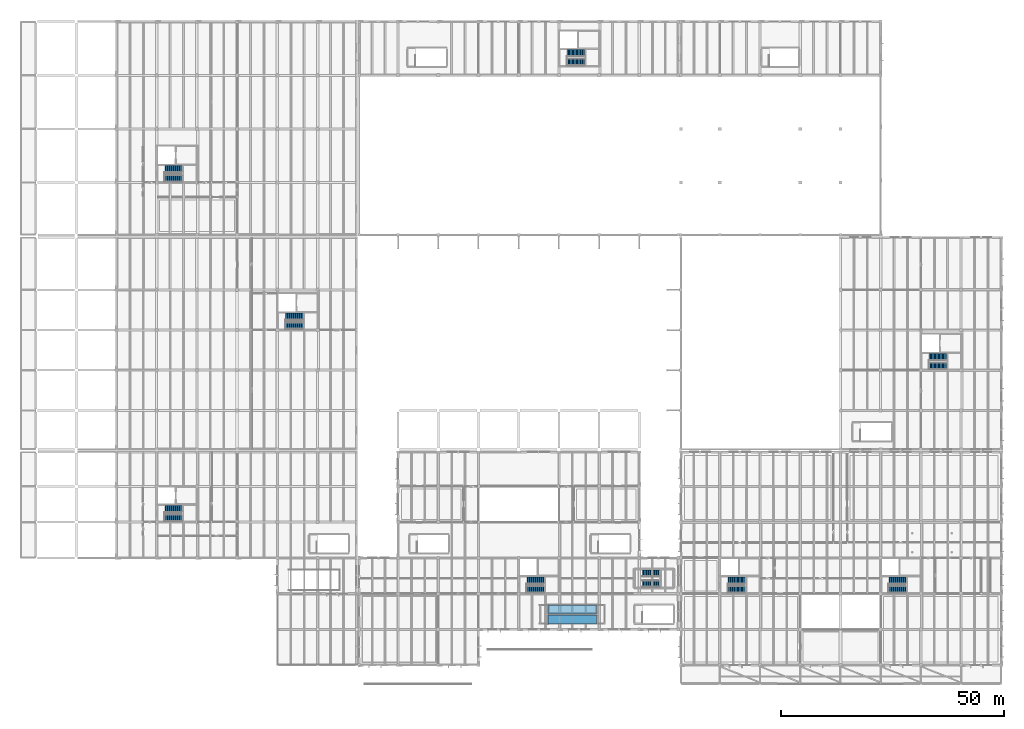
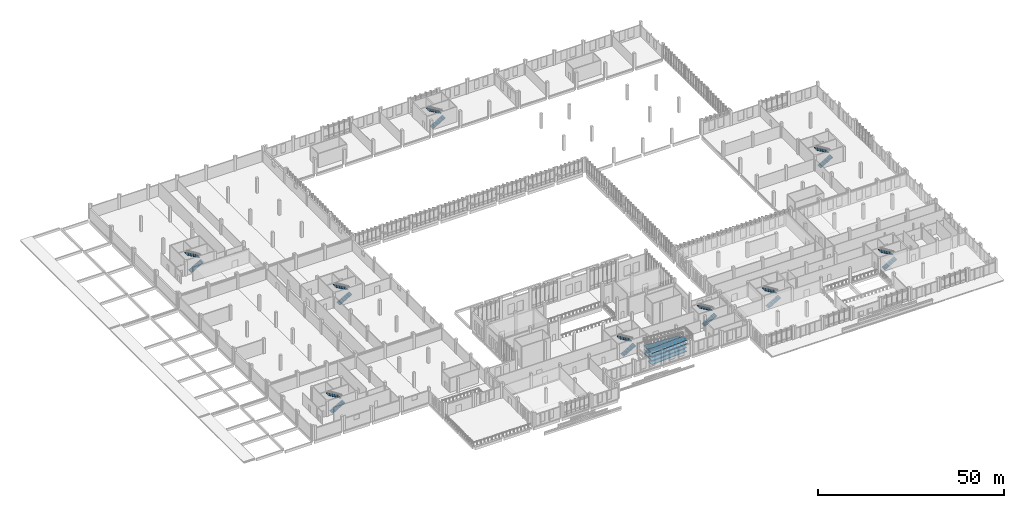
# One storey, part 94 of 110: 18 stair flights, 7 ramp flights, 10 elements without a shape of their own.
"""IFC4 building model written with IfcOpenShell, lengths in metres."""

from ifc_helpers import new_model, si_unit, direction, frame, origin, place, context, subcontext, project, spatial, polyline, outline, extrude, material, layer, layer_set, type_object, element, aggregate, save


model = new_model("IFC4")

# Units and contexts
model_context = context("Model", 3, precision=1e-05, world=origin(), true_north=direction((0.0, 1.0)))
body_context = subcontext(model_context, "Body", "Model", "MODEL_VIEW")
ifc_project = project(units=[si_unit("LENGTHUNIT", "METRE"), si_unit("AREAUNIT", "SQUARE_METRE"), si_unit("VOLUMEUNIT", "CUBIC_METRE"), si_unit("PLANEANGLEUNIT", "RADIAN"), si_unit("MASSUNIT", "GRAM", prefix="KILO")], contexts=[model_context])

# Site, building, storey
site_placement = place(None, origin())
site = spatial("IfcSite", under=ifc_project, at=site_placement, CompositionType="ELEMENT")
building_placement = place(site_placement, origin())
building = spatial("IfcBuilding", under=site, at=building_placement, Name="Zacnel Wholesale Market", CompositionType="ELEMENT")
storey_placement = place(building_placement, frame((0.0, 0.0, 6.300048828125)))
storey = spatial("IfcBuildingStorey", under=building, at=storey_placement, Name="L02", CompositionType="ELEMENT", Elevation=6.300048828125)

# Stair, stair flights
ifc_material_1 = material(Name="Precast concrete C45/55", Category="concrete")
stair_type = type_object("IfcStairType", Name="STR-DOGLEG-1550", PredefinedType="HALF_TURN_STAIR", material=ifc_material_1)
stair_1_placement = place(storey_placement, origin())
stair_1 = element("IfcStair", 1, at=stair_1_placement, inside=storey, type_object=stair_type, Name="Stair ST-02 (L02)", PredefinedType="HALF_TURN_STAIR")
ifc_material_2 = material(Name="Precast concrete C45/55", Category="concrete")
ifc_layer_1 = layer(ifc_material_2, 0.159912109375)
ifc_layer_set_1 = layer_set([ifc_layer_1], Name="Precast concrete C45/55")
stair_flight_type = type_object("IfcStairFlightType", Name="FLT-PC-1550", PredefinedType="STRAIGHT", material=ifc_layer_set_1)
stair_flight_1_placement = place(storey_placement, frame((154.81005859375, 16.965087890625, 0.0), z_axis=(0.0, 0.0, 1.0), x_axis=(1.0, 0.0, 0.0)))
stair_flight_1 = element("IfcStairFlight", 2, at=stair_flight_1_placement, type_object=stair_flight_type, Name="ST-02 flight 1", NumberOfRisers=14, NumberOfTreads=13, PredefinedType="STRAIGHT", RiserHeight=0.175, TreadLength=0.3, context=body_context, shape_type="SweptSolid", body=[
    extrude(outline(polyline([(0.0, 0.0), (0.0, 0.175048828125), (0.300048828125, 0.175048828125), (0.300048828125, 0.35009765625), (0.60009765625, 0.35009765625), (0.60009765625, 0.52490234375), (0.89990234375, 0.52490234375), (0.89990234375, 0.699951171875), (1.199951171875, 0.699951171875), (1.199951171875, 0.875), (1.5, 0.875), (1.5, 1.050048828125), (1.800048828125, 1.050048828125), (1.800048828125, 1.22509765625), (2.10009765625, 1.22509765625), (2.10009765625, 1.39990234375), (2.39990234375, 1.39990234375), (2.39990234375, 1.574951171875), (2.699951171875, 1.574951171875), (2.699951171875, 1.75), (3.0, 1.75), (3.0, 1.925048828125), (3.300048828125, 1.925048828125), (3.300048828125, 2.10009765625), (3.60009765625, 2.10009765625), (3.60009765625, 2.27490234375), (3.89990234375, 2.27490234375), (3.89990234375, 2.449951171875), (3.89990234375, 2.08984375), (0.3173828125, 0.0), (0.0, 0.0)])), frame((0.0, 0.77490234375, 0.0), z_axis=(0.0, -1.0, 0.0), x_axis=(1.0, 0.0, 0.0)), (0.0, 0.0, 1.0), 1.550048828125),
])
stair_flight_2_placement = place(storey_placement, frame((158.7099609375, 18.985107421875, 2.449951171875), z_axis=(0.0, 0.0, 1.0), x_axis=(-1.0, 0.0, 0.0)))
stair_flight_2 = element("IfcStairFlight", 3, at=stair_flight_2_placement, type_object=stair_flight_type, Name="ST-02 flight 2", NumberOfRisers=14, NumberOfTreads=13, PredefinedType="STRAIGHT", RiserHeight=0.175, TreadLength=0.3, context=body_context, shape_type="SweptSolid", body=[
    extrude(outline(polyline([(0.0, 0.0), (0.0, 0.175048828125), (0.300048828125, 0.175048828125), (0.300048828125, 0.35009765625), (0.60009765625, 0.35009765625), (0.60009765625, 0.52490234375), (0.89990234375, 0.52490234375), (0.89990234375, 0.699951171875), (1.199951171875, 0.699951171875), (1.199951171875, 0.875), (1.5, 0.875), (1.5, 1.050048828125), (1.800048828125, 1.050048828125), (1.800048828125, 1.22509765625), (2.10009765625, 1.22509765625), (2.10009765625, 1.39990234375), (2.39990234375, 1.39990234375), (2.39990234375, 1.574951171875), (2.699951171875, 1.574951171875), (2.699951171875, 1.75), (3.0, 1.75), (3.0, 1.925048828125), (3.300048828125, 1.925048828125), (3.300048828125, 2.10009765625), (3.60009765625, 2.10009765625), (3.60009765625, 2.27490234375), (3.89990234375, 2.27490234375), (3.89990234375, 2.449951171875), (3.89990234375, 2.08984375), (0.3173828125, 0.0), (0.0, 0.0)])), frame((0.0, 0.77490234375, 0.0), z_axis=(0.0, -1.0, 0.0), x_axis=(1.0, 0.0, 0.0)), (0.0, 0.0, 1.0), 1.550048828125),
])
aggregate(stair_1, [stair_flight_1, stair_flight_2])

stair_2_placement = place(storey_placement, origin())
stair_2 = element("IfcStair", 4, at=stair_2_placement, inside=storey, type_object=stair_type, Name="Stair ST-05 (L02)", PredefinedType="HALF_TURN_STAIR")
stair_flight_3_placement = place(storey_placement, frame((190.81005859375, 16.965087890625, 0.0), z_axis=(0.0, 0.0, 1.0), x_axis=(1.0, 0.0, 0.0)))
stair_flight_3 = element("IfcStairFlight", 5, at=stair_flight_3_placement, type_object=stair_flight_type, Name="ST-05 flight 1", NumberOfRisers=14, NumberOfTreads=13, PredefinedType="STRAIGHT", RiserHeight=0.175, TreadLength=0.3, context=body_context, shape_type="SweptSolid", body=[
    extrude(outline(polyline([(0.0, 0.0), (0.0, 0.175048828125), (0.300048828125, 0.175048828125), (0.300048828125, 0.35009765625), (0.60009765625, 0.35009765625), (0.60009765625, 0.52490234375), (0.89990234375, 0.52490234375), (0.89990234375, 0.699951171875), (1.199951171875, 0.699951171875), (1.199951171875, 0.875), (1.5, 0.875), (1.5, 1.050048828125), (1.800048828125, 1.050048828125), (1.800048828125, 1.22509765625), (2.10009765625, 1.22509765625), (2.10009765625, 1.39990234375), (2.39990234375, 1.39990234375), (2.39990234375, 1.574951171875), (2.699951171875, 1.574951171875), (2.699951171875, 1.75), (3.0, 1.75), (3.0, 1.925048828125), (3.300048828125, 1.925048828125), (3.300048828125, 2.10009765625), (3.60009765625, 2.10009765625), (3.60009765625, 2.27490234375), (3.89990234375, 2.27490234375), (3.89990234375, 2.449951171875), (3.89990234375, 2.08984375), (0.3173828125, 0.0), (0.0, 0.0)])), frame((0.0, 0.77490234375, 0.0), z_axis=(0.0, -1.0, 0.0), x_axis=(1.0, 0.0, 0.0)), (0.0, 0.0, 1.0), 1.550048828125),
])
stair_flight_4_placement = place(storey_placement, frame((194.7099609375, 18.985107421875, 2.449951171875), z_axis=(0.0, 0.0, 1.0), x_axis=(-1.0, 0.0, 0.0)))
stair_flight_4 = element("IfcStairFlight", 6, at=stair_flight_4_placement, type_object=stair_flight_type, Name="ST-05 flight 2", NumberOfRisers=14, NumberOfTreads=13, PredefinedType="STRAIGHT", RiserHeight=0.175, TreadLength=0.3, context=body_context, shape_type="SweptSolid", body=[
    extrude(outline(polyline([(0.0, 0.0), (0.0, 0.175048828125), (0.300048828125, 0.175048828125), (0.300048828125, 0.35009765625), (0.60009765625, 0.35009765625), (0.60009765625, 0.52490234375), (0.89990234375, 0.52490234375), (0.89990234375, 0.699951171875), (1.199951171875, 0.699951171875), (1.199951171875, 0.875), (1.5, 0.875), (1.5, 1.050048828125), (1.800048828125, 1.050048828125), (1.800048828125, 1.22509765625), (2.10009765625, 1.22509765625), (2.10009765625, 1.39990234375), (2.39990234375, 1.39990234375), (2.39990234375, 1.574951171875), (2.699951171875, 1.574951171875), (2.699951171875, 1.75), (3.0, 1.75), (3.0, 1.925048828125), (3.300048828125, 1.925048828125), (3.300048828125, 2.10009765625), (3.60009765625, 2.10009765625), (3.60009765625, 2.27490234375), (3.89990234375, 2.27490234375), (3.89990234375, 2.449951171875), (3.89990234375, 2.08984375), (0.3173828125, 0.0), (0.0, 0.0)])), frame((0.0, 0.77490234375, 0.0), z_axis=(0.0, -1.0, 0.0), x_axis=(1.0, 0.0, 0.0)), (0.0, 0.0, 1.0), 1.550048828125),
])
aggregate(stair_2, [stair_flight_3, stair_flight_4])

stair_3_placement = place(storey_placement, origin())
stair_3 = element("IfcStair", 7, at=stair_3_placement, inside=storey, type_object=stair_type, Name="Stair ST-08 (L02)", PredefinedType="HALF_TURN_STAIR")
stair_flight_5_placement = place(storey_placement, frame((28.81005859375, 32.965087890625, 0.0), z_axis=(0.0, 0.0, 1.0), x_axis=(1.0, 0.0, 0.0)))
stair_flight_5 = element("IfcStairFlight", 8, at=stair_flight_5_placement, type_object=stair_flight_type, Name="ST-08 flight 1", NumberOfRisers=14, NumberOfTreads=13, PredefinedType="STRAIGHT", RiserHeight=0.175, TreadLength=0.3, context=body_context, shape_type="SweptSolid", body=[
    extrude(outline(polyline([(0.0, 0.0), (0.0, 0.175048828125), (0.300048828125, 0.175048828125), (0.300048828125, 0.35009765625), (0.60009765625, 0.35009765625), (0.60009765625, 0.52490234375), (0.89990234375, 0.52490234375), (0.89990234375, 0.699951171875), (1.199951171875, 0.699951171875), (1.199951171875, 0.875), (1.5, 0.875), (1.5, 1.050048828125), (1.800048828125, 1.050048828125), (1.800048828125, 1.22509765625), (2.10009765625, 1.22509765625), (2.10009765625, 1.39990234375), (2.39990234375, 1.39990234375), (2.39990234375, 1.574951171875), (2.699951171875, 1.574951171875), (2.699951171875, 1.75), (3.0, 1.75), (3.0, 1.925048828125), (3.300048828125, 1.925048828125), (3.300048828125, 2.10009765625), (3.60009765625, 2.10009765625), (3.60009765625, 2.27490234375), (3.89990234375, 2.27490234375), (3.89990234375, 2.449951171875), (3.89990234375, 2.08984375), (0.3173828125, 0.0), (0.0, 0.0)])), frame((0.0, 0.77490234375, 0.0), z_axis=(0.0, -1.0, 0.0), x_axis=(1.0, 0.0, 0.0)), (0.0, 0.0, 1.0), 1.550048828125),
])
stair_flight_6_placement = place(storey_placement, frame((32.7099609375, 34.985107421875, 2.449951171875), z_axis=(0.0, 0.0, 1.0), x_axis=(-1.0, 0.0, 0.0)))
stair_flight_6 = element("IfcStairFlight", 9, at=stair_flight_6_placement, type_object=stair_flight_type, Name="ST-08 flight 2", NumberOfRisers=14, NumberOfTreads=13, PredefinedType="STRAIGHT", RiserHeight=0.175, TreadLength=0.3, context=body_context, shape_type="SweptSolid", body=[
    extrude(outline(polyline([(0.0, 0.0), (0.0, 0.175048828125), (0.300048828125, 0.175048828125), (0.300048828125, 0.35009765625), (0.60009765625, 0.35009765625), (0.60009765625, 0.52490234375), (0.89990234375, 0.52490234375), (0.89990234375, 0.699951171875), (1.199951171875, 0.699951171875), (1.199951171875, 0.875), (1.5, 0.875), (1.5, 1.050048828125), (1.800048828125, 1.050048828125), (1.800048828125, 1.22509765625), (2.10009765625, 1.22509765625), (2.10009765625, 1.39990234375), (2.39990234375, 1.39990234375), (2.39990234375, 1.574951171875), (2.699951171875, 1.574951171875), (2.699951171875, 1.75), (3.0, 1.75), (3.0, 1.925048828125), (3.300048828125, 1.925048828125), (3.300048828125, 2.10009765625), (3.60009765625, 2.10009765625), (3.60009765625, 2.27490234375), (3.89990234375, 2.27490234375), (3.89990234375, 2.449951171875), (3.89990234375, 2.08984375), (0.3173828125, 0.0), (0.0, 0.0)])), frame((0.0, 0.77490234375, 0.0), z_axis=(0.0, -1.0, 0.0), x_axis=(1.0, 0.0, 0.0)), (0.0, 0.0, 1.0), 1.550048828125),
])
aggregate(stair_3, [stair_flight_5, stair_flight_6])

stair_4_placement = place(storey_placement, origin())
stair_4 = element("IfcStair", 10, at=stair_4_placement, inside=storey, type_object=stair_type, Name="Stair ST-10 (L02)", PredefinedType="HALF_TURN_STAIR")
stair_flight_7_placement = place(storey_placement, frame((55.81005859375, 75.965087890625, 0.0), z_axis=(0.0, 0.0, 1.0), x_axis=(1.0, 0.0, 0.0)))
stair_flight_7 = element("IfcStairFlight", 11, at=stair_flight_7_placement, type_object=stair_flight_type, Name="ST-10 flight 1", NumberOfRisers=14, NumberOfTreads=13, PredefinedType="STRAIGHT", RiserHeight=0.175, TreadLength=0.3, context=body_context, shape_type="SweptSolid", body=[
    extrude(outline(polyline([(0.0, 0.0), (0.0, 0.175048828125), (0.300048828125, 0.175048828125), (0.300048828125, 0.35009765625), (0.60009765625, 0.35009765625), (0.60009765625, 0.52490234375), (0.89990234375, 0.52490234375), (0.89990234375, 0.699951171875), (1.199951171875, 0.699951171875), (1.199951171875, 0.875), (1.5, 0.875), (1.5, 1.050048828125), (1.800048828125, 1.050048828125), (1.800048828125, 1.22509765625), (2.10009765625, 1.22509765625), (2.10009765625, 1.39990234375), (2.39990234375, 1.39990234375), (2.39990234375, 1.574951171875), (2.699951171875, 1.574951171875), (2.699951171875, 1.75), (3.0, 1.75), (3.0, 1.925048828125), (3.300048828125, 1.925048828125), (3.300048828125, 2.10009765625), (3.60009765625, 2.10009765625), (3.60009765625, 2.27490234375), (3.89990234375, 2.27490234375), (3.89990234375, 2.449951171875), (3.89990234375, 2.08984375), (0.3173828125, 0.0), (0.0, 0.0)])), frame((0.0, 0.77490234375, 0.0), z_axis=(0.0, -1.0, 0.0), x_axis=(1.0, 0.0, 0.0)), (0.0, 0.0, 1.0), 1.550048828125),
])
stair_flight_8_placement = place(storey_placement, frame((59.7099609375, 77.985107421875, 2.449951171875), z_axis=(0.0, 0.0, 1.0), x_axis=(-1.0, 0.0, 0.0)))
stair_flight_8 = element("IfcStairFlight", 12, at=stair_flight_8_placement, type_object=stair_flight_type, Name="ST-10 flight 2", NumberOfRisers=14, NumberOfTreads=13, PredefinedType="STRAIGHT", RiserHeight=0.175, TreadLength=0.3, context=body_context, shape_type="SweptSolid", body=[
    extrude(outline(polyline([(0.0, 0.0), (0.0, 0.175048828125), (0.300048828125, 0.175048828125), (0.300048828125, 0.35009765625), (0.60009765625, 0.35009765625), (0.60009765625, 0.52490234375), (0.89990234375, 0.52490234375), (0.89990234375, 0.699951171875), (1.199951171875, 0.699951171875), (1.199951171875, 0.875), (1.5, 0.875), (1.5, 1.050048828125), (1.800048828125, 1.050048828125), (1.800048828125, 1.22509765625), (2.10009765625, 1.22509765625), (2.10009765625, 1.39990234375), (2.39990234375, 1.39990234375), (2.39990234375, 1.574951171875), (2.699951171875, 1.574951171875), (2.699951171875, 1.75), (3.0, 1.75), (3.0, 1.925048828125), (3.300048828125, 1.925048828125), (3.300048828125, 2.10009765625), (3.60009765625, 2.10009765625), (3.60009765625, 2.27490234375), (3.89990234375, 2.27490234375), (3.89990234375, 2.449951171875), (3.89990234375, 2.08984375), (0.3173828125, 0.0), (0.0, 0.0)])), frame((0.0, 0.77490234375, 0.0), z_axis=(0.0, -1.0, 0.0), x_axis=(1.0, 0.0, 0.0)), (0.0, 0.0, 1.0), 1.550048828125),
])
aggregate(stair_4, [stair_flight_7, stair_flight_8])

stair_5_placement = place(storey_placement, origin())
stair_5 = element("IfcStair", 13, at=stair_5_placement, inside=storey, type_object=stair_type, Name="Stair ST-13 (L02)", PredefinedType="HALF_TURN_STAIR")
stair_flight_9_placement = place(storey_placement, frame((28.81005859375, 108.965087890625, 0.0), z_axis=(0.0, 0.0, 1.0), x_axis=(1.0, 0.0, 0.0)))
stair_flight_9 = element("IfcStairFlight", 14, at=stair_flight_9_placement, type_object=stair_flight_type, Name="ST-13 flight 1", NumberOfRisers=14, NumberOfTreads=13, PredefinedType="STRAIGHT", RiserHeight=0.175, TreadLength=0.3, context=body_context, shape_type="SweptSolid", body=[
    extrude(outline(polyline([(0.0, 0.0), (0.0, 0.175048828125), (0.300048828125, 0.175048828125), (0.300048828125, 0.35009765625), (0.60009765625, 0.35009765625), (0.60009765625, 0.52490234375), (0.89990234375, 0.52490234375), (0.89990234375, 0.699951171875), (1.199951171875, 0.699951171875), (1.199951171875, 0.875), (1.5, 0.875), (1.5, 1.050048828125), (1.800048828125, 1.050048828125), (1.800048828125, 1.22509765625), (2.10009765625, 1.22509765625), (2.10009765625, 1.39990234375), (2.39990234375, 1.39990234375), (2.39990234375, 1.574951171875), (2.699951171875, 1.574951171875), (2.699951171875, 1.75), (3.0, 1.75), (3.0, 1.925048828125), (3.300048828125, 1.925048828125), (3.300048828125, 2.10009765625), (3.60009765625, 2.10009765625), (3.60009765625, 2.27490234375), (3.89990234375, 2.27490234375), (3.89990234375, 2.449951171875), (3.89990234375, 2.08984375), (0.3173828125, 0.0), (0.0, 0.0)])), frame((0.0, 0.77490234375, 0.0), z_axis=(0.0, -1.0, 0.0), x_axis=(1.0, 0.0, 0.0)), (0.0, 0.0, 1.0), 1.550048828125),
])
stair_flight_10_placement = place(storey_placement, frame((32.7099609375, 110.985107421875, 2.449951171875), z_axis=(0.0, 0.0, 1.0), x_axis=(-1.0, 0.0, 0.0)))
stair_flight_10 = element("IfcStairFlight", 15, at=stair_flight_10_placement, type_object=stair_flight_type, Name="ST-13 flight 2", NumberOfRisers=14, NumberOfTreads=13, PredefinedType="STRAIGHT", RiserHeight=0.175, TreadLength=0.3, context=body_context, shape_type="SweptSolid", body=[
    extrude(outline(polyline([(0.0, 0.0), (0.0, 0.175048828125), (0.300048828125, 0.175048828125), (0.300048828125, 0.35009765625), (0.60009765625, 0.35009765625), (0.60009765625, 0.52490234375), (0.89990234375, 0.52490234375), (0.89990234375, 0.699951171875), (1.199951171875, 0.699951171875), (1.199951171875, 0.875), (1.5, 0.875), (1.5, 1.050048828125), (1.800048828125, 1.050048828125), (1.800048828125, 1.22509765625), (2.10009765625, 1.22509765625), (2.10009765625, 1.39990234375), (2.39990234375, 1.39990234375), (2.39990234375, 1.574951171875), (2.699951171875, 1.574951171875), (2.699951171875, 1.75), (3.0, 1.75), (3.0, 1.925048828125), (3.300048828125, 1.925048828125), (3.300048828125, 2.10009765625), (3.60009765625, 2.10009765625), (3.60009765625, 2.27490234375), (3.89990234375, 2.27490234375), (3.89990234375, 2.449951171875), (3.89990234375, 2.08984375), (0.3173828125, 0.0), (0.0, 0.0)])), frame((0.0, 0.77490234375, 0.0), z_axis=(0.0, -1.0, 0.0), x_axis=(1.0, 0.0, 0.0)), (0.0, 0.0, 1.0), 1.550048828125),
])
aggregate(stair_5, [stair_flight_9, stair_flight_10])

stair_6_placement = place(storey_placement, origin())
stair_6 = element("IfcStair", 16, at=stair_6_placement, inside=storey, type_object=stair_type, Name="Stair ST-28 (L02)", PredefinedType="HALF_TURN_STAIR")
stair_flight_11_placement = place(storey_placement, frame((118.81005859375, 134.965087890625, 0.0), z_axis=(0.0, 0.0, 1.0), x_axis=(1.0, 0.0, 0.0)))
stair_flight_11 = element("IfcStairFlight", 17, at=stair_flight_11_placement, type_object=stair_flight_type, Name="ST-28 flight 1", NumberOfRisers=14, NumberOfTreads=13, PredefinedType="STRAIGHT", RiserHeight=0.175, TreadLength=0.3, context=body_context, shape_type="SweptSolid", body=[
    extrude(outline(polyline([(0.0, 0.0), (0.0, 0.175048828125), (0.300048828125, 0.175048828125), (0.300048828125, 0.35009765625), (0.60009765625, 0.35009765625), (0.60009765625, 0.52490234375), (0.89990234375, 0.52490234375), (0.89990234375, 0.699951171875), (1.199951171875, 0.699951171875), (1.199951171875, 0.875), (1.5, 0.875), (1.5, 1.050048828125), (1.800048828125, 1.050048828125), (1.800048828125, 1.22509765625), (2.10009765625, 1.22509765625), (2.10009765625, 1.39990234375), (2.39990234375, 1.39990234375), (2.39990234375, 1.574951171875), (2.699951171875, 1.574951171875), (2.699951171875, 1.75), (3.0, 1.75), (3.0, 1.925048828125), (3.300048828125, 1.925048828125), (3.300048828125, 2.10009765625), (3.60009765625, 2.10009765625), (3.60009765625, 2.27490234375), (3.89990234375, 2.27490234375), (3.89990234375, 2.449951171875), (3.89990234375, 2.08984375), (0.3173828125, 0.0), (0.0, 0.0)])), frame((0.0, 0.77490234375, 0.0), z_axis=(0.0, -1.0, 0.0), x_axis=(1.0, 0.0, 0.0)), (0.0, 0.0, 1.0), 1.550048828125),
])
stair_flight_12_placement = place(storey_placement, frame((122.7099609375, 136.985107421875, 2.449951171875), z_axis=(0.0, 0.0, 1.0), x_axis=(-1.0, 0.0, 0.0)))
stair_flight_12 = element("IfcStairFlight", 18, at=stair_flight_12_placement, type_object=stair_flight_type, Name="ST-28 flight 2", NumberOfRisers=14, NumberOfTreads=13, PredefinedType="STRAIGHT", RiserHeight=0.175, TreadLength=0.3, context=body_context, shape_type="SweptSolid", body=[
    extrude(outline(polyline([(0.0, 0.0), (0.0, 0.175048828125), (0.300048828125, 0.175048828125), (0.300048828125, 0.35009765625), (0.60009765625, 0.35009765625), (0.60009765625, 0.52490234375), (0.89990234375, 0.52490234375), (0.89990234375, 0.699951171875), (1.199951171875, 0.699951171875), (1.199951171875, 0.875), (1.5, 0.875), (1.5, 1.050048828125), (1.800048828125, 1.050048828125), (1.800048828125, 1.22509765625), (2.10009765625, 1.22509765625), (2.10009765625, 1.39990234375), (2.39990234375, 1.39990234375), (2.39990234375, 1.574951171875), (2.699951171875, 1.574951171875), (2.699951171875, 1.75), (3.0, 1.75), (3.0, 1.925048828125), (3.300048828125, 1.925048828125), (3.300048828125, 2.10009765625), (3.60009765625, 2.10009765625), (3.60009765625, 2.27490234375), (3.89990234375, 2.27490234375), (3.89990234375, 2.449951171875), (3.89990234375, 2.08984375), (0.3173828125, 0.0), (0.0, 0.0)])), frame((0.0, 0.77490234375, 0.0), z_axis=(0.0, -1.0, 0.0), x_axis=(1.0, 0.0, 0.0)), (0.0, 0.0, 1.0), 1.550048828125),
])
aggregate(stair_6, [stair_flight_11, stair_flight_12])

stair_7_placement = place(storey_placement, origin())
stair_7 = element("IfcStair", 19, at=stair_7_placement, inside=storey, type_object=stair_type, Name="Stair ST-27 (L02)", PredefinedType="HALF_TURN_STAIR")
stair_flight_13_placement = place(storey_placement, frame((199.81005859375, 66.965087890625, 0.0), z_axis=(0.0, 0.0, 1.0), x_axis=(1.0, 0.0, 0.0)))
stair_flight_13 = element("IfcStairFlight", 20, at=stair_flight_13_placement, type_object=stair_flight_type, Name="ST-27 flight 1", NumberOfRisers=14, NumberOfTreads=13, PredefinedType="STRAIGHT", RiserHeight=0.175, TreadLength=0.3, context=body_context, shape_type="SweptSolid", body=[
    extrude(outline(polyline([(0.0, 0.0), (0.0, 0.175048828125), (0.300048828125, 0.175048828125), (0.300048828125, 0.35009765625), (0.60009765625, 0.35009765625), (0.60009765625, 0.52490234375), (0.89990234375, 0.52490234375), (0.89990234375, 0.699951171875), (1.199951171875, 0.699951171875), (1.199951171875, 0.875), (1.5, 0.875), (1.5, 1.050048828125), (1.800048828125, 1.050048828125), (1.800048828125, 1.22509765625), (2.10009765625, 1.22509765625), (2.10009765625, 1.39990234375), (2.39990234375, 1.39990234375), (2.39990234375, 1.574951171875), (2.699951171875, 1.574951171875), (2.699951171875, 1.75), (3.0, 1.75), (3.0, 1.925048828125), (3.300048828125, 1.925048828125), (3.300048828125, 2.10009765625), (3.60009765625, 2.10009765625), (3.60009765625, 2.27490234375), (3.89990234375, 2.27490234375), (3.89990234375, 2.449951171875), (3.89990234375, 2.08984375), (0.3173828125, 0.0), (0.0, 0.0)])), frame((0.0, 0.77490234375, 0.0), z_axis=(0.0, -1.0, 0.0), x_axis=(1.0, 0.0, 0.0)), (0.0, 0.0, 1.0), 1.550048828125),
])
stair_flight_14_placement = place(storey_placement, frame((203.7099609375, 68.985107421875, 2.449951171875), z_axis=(0.0, 0.0, 1.0), x_axis=(-1.0, 0.0, 0.0)))
stair_flight_14 = element("IfcStairFlight", 21, at=stair_flight_14_placement, type_object=stair_flight_type, Name="ST-27 flight 2", NumberOfRisers=14, NumberOfTreads=13, PredefinedType="STRAIGHT", RiserHeight=0.175, TreadLength=0.3, context=body_context, shape_type="SweptSolid", body=[
    extrude(outline(polyline([(0.0, 0.0), (0.0, 0.175048828125), (0.300048828125, 0.175048828125), (0.300048828125, 0.35009765625), (0.60009765625, 0.35009765625), (0.60009765625, 0.52490234375), (0.89990234375, 0.52490234375), (0.89990234375, 0.699951171875), (1.199951171875, 0.699951171875), (1.199951171875, 0.875), (1.5, 0.875), (1.5, 1.050048828125), (1.800048828125, 1.050048828125), (1.800048828125, 1.22509765625), (2.10009765625, 1.22509765625), (2.10009765625, 1.39990234375), (2.39990234375, 1.39990234375), (2.39990234375, 1.574951171875), (2.699951171875, 1.574951171875), (2.699951171875, 1.75), (3.0, 1.75), (3.0, 1.925048828125), (3.300048828125, 1.925048828125), (3.300048828125, 2.10009765625), (3.60009765625, 2.10009765625), (3.60009765625, 2.27490234375), (3.89990234375, 2.27490234375), (3.89990234375, 2.449951171875), (3.89990234375, 2.08984375), (0.3173828125, 0.0), (0.0, 0.0)])), frame((0.0, 0.77490234375, 0.0), z_axis=(0.0, -1.0, 0.0), x_axis=(1.0, 0.0, 0.0)), (0.0, 0.0, 1.0), 1.550048828125),
])
aggregate(stair_7, [stair_flight_13, stair_flight_14])

stair_8_placement = place(storey_placement, origin())
stair_8 = element("IfcStair", 22, at=stair_8_placement, inside=storey, type_object=stair_type, Name="Stair ST-17 (L02)", PredefinedType="HALF_TURN_STAIR")
stair_flight_15_placement = place(storey_placement, frame((109.81005859375, 16.965087890625, 0.0), z_axis=(0.0, 0.0, 1.0), x_axis=(1.0, 0.0, 0.0)))
stair_flight_15 = element("IfcStairFlight", 23, at=stair_flight_15_placement, type_object=stair_flight_type, Name="ST-17 flight 1", NumberOfRisers=14, NumberOfTreads=13, PredefinedType="STRAIGHT", RiserHeight=0.175, TreadLength=0.3, context=body_context, shape_type="SweptSolid", body=[
    extrude(outline(polyline([(0.0, 0.0), (0.0, 0.175048828125), (0.300048828125, 0.175048828125), (0.300048828125, 0.35009765625), (0.60009765625, 0.35009765625), (0.60009765625, 0.52490234375), (0.89990234375, 0.52490234375), (0.89990234375, 0.699951171875), (1.199951171875, 0.699951171875), (1.199951171875, 0.875), (1.5, 0.875), (1.5, 1.050048828125), (1.800048828125, 1.050048828125), (1.800048828125, 1.22509765625), (2.10009765625, 1.22509765625), (2.10009765625, 1.39990234375), (2.39990234375, 1.39990234375), (2.39990234375, 1.574951171875), (2.699951171875, 1.574951171875), (2.699951171875, 1.75), (3.0, 1.75), (3.0, 1.925048828125), (3.300048828125, 1.925048828125), (3.300048828125, 2.10009765625), (3.60009765625, 2.10009765625), (3.60009765625, 2.27490234375), (3.89990234375, 2.27490234375), (3.89990234375, 2.449951171875), (3.89990234375, 2.08984375), (0.3173828125, 0.0), (0.0, 0.0)])), frame((0.0, 0.77490234375, 0.0), z_axis=(0.0, -1.0, 0.0), x_axis=(1.0, 0.0, 0.0)), (0.0, 0.0, 1.0), 1.550048828125),
])
stair_flight_16_placement = place(storey_placement, frame((113.7099609375, 18.985107421875, 2.449951171875), z_axis=(0.0, 0.0, 1.0), x_axis=(-1.0, 0.0, 0.0)))
stair_flight_16 = element("IfcStairFlight", 24, at=stair_flight_16_placement, type_object=stair_flight_type, Name="ST-17 flight 2", NumberOfRisers=14, NumberOfTreads=13, PredefinedType="STRAIGHT", RiserHeight=0.175, TreadLength=0.3, context=body_context, shape_type="SweptSolid", body=[
    extrude(outline(polyline([(0.0, 0.0), (0.0, 0.175048828125), (0.300048828125, 0.175048828125), (0.300048828125, 0.35009765625), (0.60009765625, 0.35009765625), (0.60009765625, 0.52490234375), (0.89990234375, 0.52490234375), (0.89990234375, 0.699951171875), (1.199951171875, 0.699951171875), (1.199951171875, 0.875), (1.5, 0.875), (1.5, 1.050048828125), (1.800048828125, 1.050048828125), (1.800048828125, 1.22509765625), (2.10009765625, 1.22509765625), (2.10009765625, 1.39990234375), (2.39990234375, 1.39990234375), (2.39990234375, 1.574951171875), (2.699951171875, 1.574951171875), (2.699951171875, 1.75), (3.0, 1.75), (3.0, 1.925048828125), (3.300048828125, 1.925048828125), (3.300048828125, 2.10009765625), (3.60009765625, 2.10009765625), (3.60009765625, 2.27490234375), (3.89990234375, 2.27490234375), (3.89990234375, 2.449951171875), (3.89990234375, 2.08984375), (0.3173828125, 0.0), (0.0, 0.0)])), frame((0.0, 0.77490234375, 0.0), z_axis=(0.0, -1.0, 0.0), x_axis=(1.0, 0.0, 0.0)), (0.0, 0.0, 1.0), 1.550048828125),
])
aggregate(stair_8, [stair_flight_15, stair_flight_16])

stair_9_placement = place(storey_placement, origin())
stair_9 = element("IfcStair", 25, at=stair_9_placement, inside=storey, type_object=stair_type, Name="Stair ST-25 (L02)", PredefinedType="HALF_TURN_STAIR")
stair_flight_17_placement = place(storey_placement, frame((135.679931640625, 18.235107421875, 0.0), z_axis=(0.0, 0.0, 1.0), x_axis=(1.0, 0.0, 0.0)))
stair_flight_17 = element("IfcStairFlight", 26, at=stair_flight_17_placement, type_object=stair_flight_type, Name="ST-25 flight 1", NumberOfRisers=14, NumberOfTreads=13, PredefinedType="STRAIGHT", RiserHeight=0.175, TreadLength=0.3, context=body_context, shape_type="SweptSolid", body=[
    extrude(outline(polyline([(0.0, 0.0), (0.0, 0.175048828125), (0.300048828125, 0.175048828125), (0.300048828125, 0.35009765625), (0.60009765625, 0.35009765625), (0.60009765625, 0.52490234375), (0.89990234375, 0.52490234375), (0.89990234375, 0.699951171875), (1.199951171875, 0.699951171875), (1.199951171875, 0.875), (1.5, 0.875), (1.5, 1.050048828125), (1.800048828125, 1.050048828125), (1.800048828125, 1.22509765625), (2.10009765625, 1.22509765625), (2.10009765625, 1.39990234375), (2.39990234375, 1.39990234375), (2.39990234375, 1.574951171875), (2.699951171875, 1.574951171875), (2.699951171875, 1.75), (3.0, 1.75), (3.0, 1.925048828125), (3.300048828125, 1.925048828125), (3.300048828125, 2.10009765625), (3.60009765625, 2.10009765625), (3.60009765625, 2.27490234375), (3.89990234375, 2.27490234375), (3.89990234375, 2.449951171875), (3.89990234375, 2.08984375), (0.3173828125, 0.0), (0.0, 0.0)])), frame((0.0, 0.77490234375, 0.0), z_axis=(0.0, -1.0, 0.0), x_axis=(1.0, 0.0, 0.0)), (0.0, 0.0, 1.0), 1.550048828125),
])
stair_flight_18_placement = place(storey_placement, frame((139.580078125, 20.56494140625, 2.449951171875), z_axis=(0.0, 0.0, 1.0), x_axis=(-1.0, 0.0, 0.0)))
stair_flight_18 = element("IfcStairFlight", 27, at=stair_flight_18_placement, type_object=stair_flight_type, Name="ST-25 flight 2", NumberOfRisers=14, NumberOfTreads=13, PredefinedType="STRAIGHT", RiserHeight=0.175, TreadLength=0.3, context=body_context, shape_type="SweptSolid", body=[
    extrude(outline(polyline([(0.0, 0.0), (0.0, 0.175048828125), (0.300048828125, 0.175048828125), (0.300048828125, 0.35009765625), (0.60009765625, 0.35009765625), (0.60009765625, 0.52490234375), (0.89990234375, 0.52490234375), (0.89990234375, 0.699951171875), (1.199951171875, 0.699951171875), (1.199951171875, 0.875), (1.5, 0.875), (1.5, 1.050048828125), (1.800048828125, 1.050048828125), (1.800048828125, 1.22509765625), (2.10009765625, 1.22509765625), (2.10009765625, 1.39990234375), (2.39990234375, 1.39990234375), (2.39990234375, 1.574951171875), (2.699951171875, 1.574951171875), (2.699951171875, 1.75), (3.0, 1.75), (3.0, 1.925048828125), (3.300048828125, 1.925048828125), (3.300048828125, 2.10009765625), (3.60009765625, 2.10009765625), (3.60009765625, 2.27490234375), (3.89990234375, 2.27490234375), (3.89990234375, 2.449951171875), (3.89990234375, 2.08984375), (0.3173828125, 0.0), (0.0, 0.0)])), frame((0.0, 0.77490234375, 0.0), z_axis=(0.0, -1.0, 0.0), x_axis=(1.0, 0.0, 0.0)), (0.0, 0.0, 1.0), 1.550048828125),
])
aggregate(stair_9, [stair_flight_17, stair_flight_18])

# Ramp, ramp flights
ifc_material_3 = material(Name="Precast concrete C45/55", Category="concrete")
ramp_type = type_object("IfcRampType", Name="RMP-TWO-RUN-2000", PredefinedType="TWO_STRAIGHT_RUN_RAMP", material=ifc_material_3)
ramp_placement = place(storey_placement, origin())
ramp = element("IfcRamp", 28, at=ramp_placement, inside=storey, type_object=ramp_type, Name="Accessible ramp RP-04 (RMP-PROM-2)", PredefinedType="TWO_STRAIGHT_RUN_RAMP")
ifc_material_4 = material(Name="Precast concrete C45/55", Category="concrete")
ifc_layer_2 = layer(ifc_material_4, 0.219970703125)
ifc_layer_set_2 = layer_set([ifc_layer_2], Name="Precast concrete C45/55")
ramp_flight_type = type_object("IfcRampFlightType", Name="RFLT-PC-2000", PredefinedType="STRAIGHT", material=ifc_layer_set_2)
ramp_flight_1_placement = place(storey_placement, frame((114.60009765625, 10.199951171875, 0.0), z_axis=(0.0, 0.0, 1.0), x_axis=(1.0, 0.0, 0.0)))
ramp_flight_1 = element("IfcRampFlight", 29, at=ramp_flight_1_placement, type_object=ramp_flight_type, Name="Accessible ramp RP-04 (RMP-PROM-2) flight 1", PredefinedType="STRAIGHT", context=body_context, shape_type="SweptSolid", body=[
    extrude(outline(polyline([(0.0, 0.0), (10.841064453125, 0.612548828125), (10.841064453125, 0.392578125), (0.0, -0.219970703125), (0.0, 0.0)])), frame((0.0, 1.0, 0.0), z_axis=(0.0, -1.0, 0.0), x_axis=(1.0, 0.0, 0.0)), (0.0, 0.0, 1.0), 2.0),
])
ramp_flight_2_placement = place(storey_placement, frame((125.44091796875, 12.5, 0.612548828125), z_axis=(0.0, 0.0, 1.0), x_axis=(-1.0, 0.0, 0.0)))
ramp_flight_2 = element("IfcRampFlight", 30, at=ramp_flight_2_placement, type_object=ramp_flight_type, Name="Accessible ramp RP-04 (RMP-PROM-2) flight 2", PredefinedType="STRAIGHT", context=body_context, shape_type="SweptSolid", body=[
    extrude(outline(polyline([(0.0, 0.0), (10.841064453125, 0.612548828125), (10.841064453125, 0.392578125), (0.0, -0.219970703125), (0.0, 0.0)])), frame((0.0, 1.0, 0.0), z_axis=(0.0, -1.0, 0.0), x_axis=(1.0, 0.0, 0.0)), (0.0, 0.0, 1.0), 2.0),
])
ramp_flight_3_placement = place(storey_placement, frame((114.60009765625, 10.199951171875, 1.224853515625), z_axis=(0.0, 0.0, 1.0), x_axis=(1.0, 0.0, 0.0)))
ramp_flight_3 = element("IfcRampFlight", 31, at=ramp_flight_3_placement, type_object=ramp_flight_type, Name="Accessible ramp RP-04 (RMP-PROM-2) flight 3", PredefinedType="STRAIGHT", context=body_context, shape_type="SweptSolid", body=[
    extrude(outline(polyline([(0.0, 0.0), (10.841064453125, 0.612548828125), (10.841064453125, 0.392578125), (0.0, -0.219970703125), (0.0, 0.0)])), frame((0.0, 1.0, 0.0), z_axis=(0.0, -1.0, 0.0), x_axis=(1.0, 0.0, 0.0)), (0.0, 0.0, 1.0), 2.0),
])
ramp_flight_4_placement = place(storey_placement, frame((125.44091796875, 12.5, 1.83740234375), z_axis=(0.0, 0.0, 1.0), x_axis=(-1.0, 0.0, 0.0)))
ramp_flight_4 = element("IfcRampFlight", 32, at=ramp_flight_4_placement, type_object=ramp_flight_type, Name="Accessible ramp RP-04 (RMP-PROM-2) flight 4", PredefinedType="STRAIGHT", context=body_context, shape_type="SweptSolid", body=[
    extrude(outline(polyline([(0.0, 0.0), (10.841064453125, 0.612548828125), (10.841064453125, 0.392578125), (0.0, -0.219970703125), (0.0, 0.0)])), frame((0.0, 1.0, 0.0), z_axis=(0.0, -1.0, 0.0), x_axis=(1.0, 0.0, 0.0)), (0.0, 0.0, 1.0), 2.0),
])
ramp_flight_5_placement = place(storey_placement, frame((114.60009765625, 10.199951171875, 2.449951171875), z_axis=(0.0, 0.0, 1.0), x_axis=(1.0, 0.0, 0.0)))
ramp_flight_5 = element("IfcRampFlight", 33, at=ramp_flight_5_placement, type_object=ramp_flight_type, Name="Accessible ramp RP-04 (RMP-PROM-2) flight 5", PredefinedType="STRAIGHT", context=body_context, shape_type="SweptSolid", body=[
    extrude(outline(polyline([(0.0, 0.0), (10.841064453125, 0.612548828125), (10.841064453125, 0.392578125), (0.0, -0.219970703125), (0.0, 0.0)])), frame((0.0, 1.0, 0.0), z_axis=(0.0, -1.0, 0.0), x_axis=(1.0, 0.0, 0.0)), (0.0, 0.0, 1.0), 2.0),
])
ramp_flight_6_placement = place(storey_placement, frame((125.44091796875, 12.5, 3.0625), z_axis=(0.0, 0.0, 1.0), x_axis=(-1.0, 0.0, 0.0)))
ramp_flight_6 = element("IfcRampFlight", 34, at=ramp_flight_6_placement, type_object=ramp_flight_type, Name="Accessible ramp RP-04 (RMP-PROM-2) flight 6", PredefinedType="STRAIGHT", context=body_context, shape_type="SweptSolid", body=[
    extrude(outline(polyline([(0.0, 0.0), (10.841064453125, 0.612548828125), (10.841064453125, 0.392578125), (0.0, -0.219970703125), (0.0, 0.0)])), frame((0.0, 1.0, 0.0), z_axis=(0.0, -1.0, 0.0), x_axis=(1.0, 0.0, 0.0)), (0.0, 0.0, 1.0), 2.0),
])
ramp_flight_7_placement = place(storey_placement, frame((114.60009765625, 10.199951171875, 3.675048828125), z_axis=(0.0, 0.0, 1.0), x_axis=(1.0, 0.0, 0.0)))
ramp_flight_7 = element("IfcRampFlight", 35, at=ramp_flight_7_placement, type_object=ramp_flight_type, Name="Accessible ramp RP-04 (RMP-PROM-2) flight 7", PredefinedType="STRAIGHT", context=body_context, shape_type="SweptSolid", body=[
    extrude(outline(polyline([(0.0, 0.0), (10.841064453125, 0.612548828125), (10.841064453125, 0.392578125), (0.0, -0.219970703125), (0.0, 0.0)])), frame((0.0, 1.0, 0.0), z_axis=(0.0, -1.0, 0.0), x_axis=(1.0, 0.0, 0.0)), (0.0, 0.0, 1.0), 2.0),
])
aggregate(ramp, [ramp_flight_1, ramp_flight_2, ramp_flight_3, ramp_flight_4, ramp_flight_5, ramp_flight_6, ramp_flight_7])

save(model, "model.ifc")
